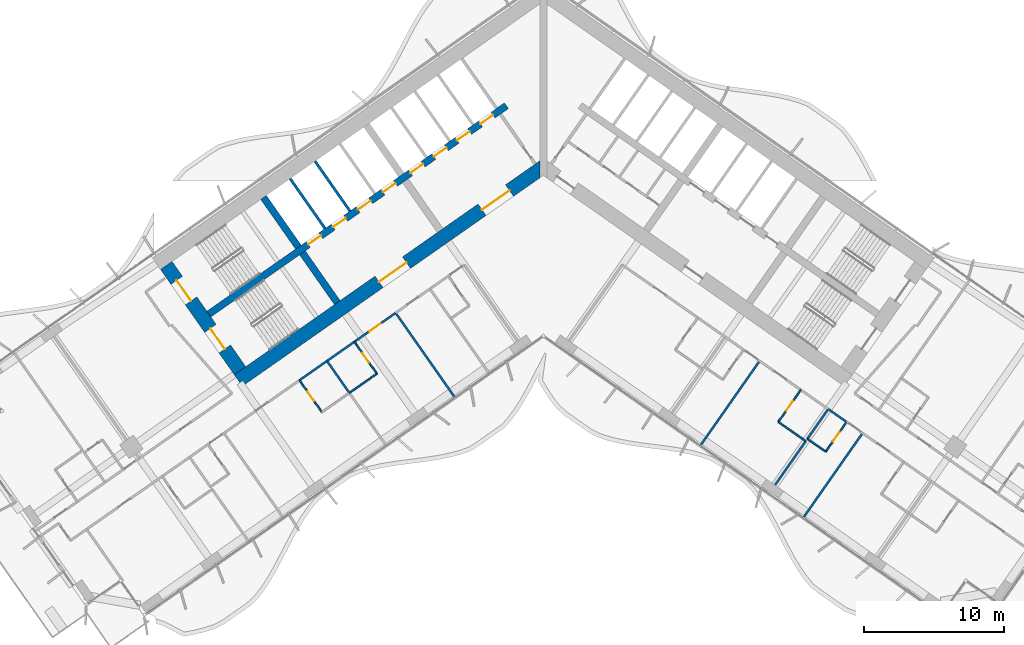
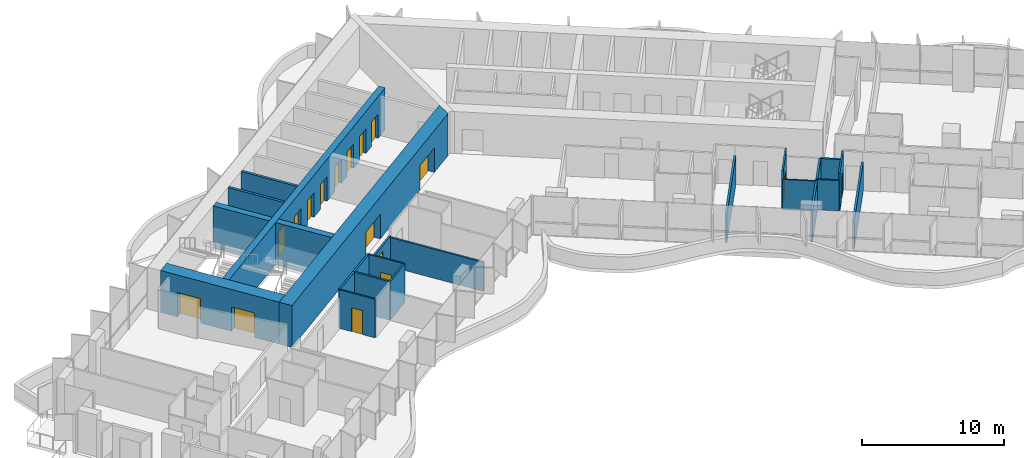
# One storey, part 14 of 25: 24 walls, 17 doors, 17 openings.
"""IFC4 building model written with IfcOpenShell, lengths in metres."""

from ifc_helpers import new_model, si_unit, direction, frame, frame_2d, origin, place, context, subcontext, project, spatial, polyline, rectangle, outline, extrude, material, layer, layer_set, type_object, element, fill, save


model = new_model("IFC4")

# Units and contexts
model_context = context("Model", 3, precision=1e-05, world=origin(), true_north=direction((0.0, 1.0)))
body_context = subcontext(model_context, "Body", "Model", "MODEL_VIEW")
ifc_project = project(units=[si_unit("LENGTHUNIT", "METRE"), si_unit("AREAUNIT", "SQUARE_METRE"), si_unit("VOLUMEUNIT", "CUBIC_METRE"), si_unit("PLANEANGLEUNIT", "RADIAN"), si_unit("MASSUNIT", "GRAM", prefix="KILO")], contexts=[model_context])

# Site, building, storey
site_placement = place(None, origin())
site = spatial("IfcSite", under=ifc_project, at=site_placement, CompositionType="ELEMENT")
building_placement = place(site_placement, origin())
building = spatial("IfcBuilding", under=site, at=building_placement, Name="Tel Ilan Convention Tower", CompositionType="ELEMENT")
storey_placement = place(building_placement, frame((0.0, 0.0, 97.699951171875)))
storey = spatial("IfcBuildingStorey", under=building, at=storey_placement, Name="L20", CompositionType="ELEMENT", Elevation=97.699951171875)

# Wall, openings, doors
ifc_material_1 = material(Name="Concrete C60/75", Category="concrete")
ifc_layer_1 = layer(ifc_material_1, 1.0)
ifc_layer_set_1 = layer_set([ifc_layer_1], Name="Core Shear Wall 1000 mm C60/75")
wall_type_1 = type_object("IfcWallType", Name="Core Shear Wall 1000 mm C60/75", PredefinedType="SHEAR", material=ifc_layer_set_1)
wall_1_placement = place(storey_placement, frame((0.036865234375, -0.584716796875, 0.0), z_axis=(0.0, 0.0, 1.0), x_axis=(-0.819157152511, -0.573569140985, 0.0)))
wall_1 = element("IfcWall", 1, at=wall_1_placement, inside=storey, type_object=wall_type_1, Name="L20 core wall W-front", PredefinedType="SHEAR", context=body_context, shape_type="SweptSolid", body=[
    extrude(outline(polyline([(26.69482421875, 0.500244140625), (0.7001953125, 0.499755859375), (0.0, -0.5), (26.69482421875, -0.499755859375), (26.69482421875, 0.500244140625)])), origin(), (0.0, 0.0, 1.0), 3.60009765625),
])
opening_1_placement = place(wall_1_placement, frame((2.994873046875, 0.0, 0.0)))
opening_1 = element("IfcOpeningElement", 2, at=opening_1_placement, cuts=wall_1, Name="Opening CD1805", PredefinedType="OPENING", context=body_context, shape_type="SweptSolid", body=[
    extrude(rectangle(XDim=2.39990234375, YDim=2.10009765625, at=frame_2d((1.199951171875, 1.050048828125))), frame((0.0, 0.510009765625, 0.0), z_axis=(0.0, -1.0, 0.0), x_axis=(1.0, 0.0, 0.0)), (0.0, 0.0, 1.0), 1.02001953125),
])
opening_2_placement = place(wall_1_placement, frame((11.994873046875, 0.0, 0.0)))
opening_2 = element("IfcOpeningElement", 3, at=opening_2_placement, cuts=wall_1, Name="Opening CD1806", PredefinedType="OPENING", context=body_context, shape_type="SweptSolid", body=[
    extrude(rectangle(XDim=2.39990234375, YDim=2.10009765625, at=frame_2d((1.199951171875, 1.050048828125))), frame((0.0, 0.510009765625, 0.0), z_axis=(0.0, -1.0, 0.0), x_axis=(1.0, 0.0, 0.0)), (0.0, 0.0, 1.0), 1.02001953125),
])
ifc_material_2 = material(Name="Glazed Aluminium Door Leaf", Category="aluminium")
door_type_1 = type_object("IfcDoorType", Name="Lobby Opening Door 2400 x 2100 FD60S", OperationType="NOTDEFINED", PredefinedType="DOOR", material=ifc_material_2)
door_1_placement = place(opening_1_placement, origin())
door_1 = element("IfcDoor", 4, at=door_1_placement, inside=storey, type_object=door_type_1, Name="Lift Lobby LR1-LR4 opening", OperationType="DOUBLE_DOOR_SINGLE_SWING", OverallHeight=2.10009765625, OverallWidth=2.39990234375, PredefinedType="DOOR", context=body_context, shape_type="SweptSolid", body=[
    extrude(rectangle(XDim=2.39990234375, YDim=2.10009765625, at=frame_2d((1.199951171875, 1.050048828125))), frame((0.0, 0.02490234375, 0.0), z_axis=(0.0, -1.0, 0.0), x_axis=(1.0, 0.0, 0.0)), (0.0, 0.0, 1.0), 0.050048828125),
])
fill(opening_1, door_1)
door_2_placement = place(opening_2_placement, origin())
door_2 = element("IfcDoor", 5, at=door_2_placement, inside=storey, type_object=door_type_1, Name="Lift Lobby LR5-LR8 opening", OperationType="DOUBLE_DOOR_SINGLE_SWING", OverallHeight=2.10009765625, OverallWidth=2.39990234375, PredefinedType="DOOR", context=body_context, shape_type="SweptSolid", body=[
    extrude(rectangle(XDim=2.39990234375, YDim=2.10009765625, at=frame_2d((1.199951171875, 1.050048828125))), frame((0.0, 0.02490234375, 0.0), z_axis=(0.0, -1.0, 0.0), x_axis=(1.0, 0.0, 0.0)), (0.0, 0.0, 1.0), 0.050048828125),
])
fill(opening_2, door_2)

wall_2_placement = place(storey_placement, frame((-21.70751953125, -15.19970703125, 0.0), z_axis=(0.0, 0.0, 1.0), x_axis=(-0.573576324356, 0.819152122709, 0.0)))
wall_2 = element("IfcWall", 6, at=wall_2_placement, inside=storey, type_object=wall_type_1, Name="L20 core wall W-end", PredefinedType="SHEAR", context=body_context, shape_type="SweptSolid", body=[
    extrude(outline(polyline([(0.0, 0.5), (0.0, -0.5), (9.199951171875, -0.5), (9.199951171875, 0.5), (0.0, 0.5)])), origin(), (0.0, 0.0, 1.0), 3.60009765625),
])
opening_3_placement = place(wall_2_placement, frame((6.10009765625, 0.0, 0.0)))
opening_3 = element("IfcOpeningElement", 7, at=opening_3_placement, cuts=wall_2, Name="Opening SD1801", PredefinedType="OPENING", context=body_context, shape_type="SweptSolid", body=[
    extrude(rectangle(XDim=1.800048828125, YDim=2.10009765625, at=frame_2d((0.89990234375, 1.050048828125))), frame((0.0, 0.510009765625, 0.0), z_axis=(0.0, -1.0, 0.0), x_axis=(1.0, 0.0, 0.0)), (0.0, 0.0, 1.0), 1.02001953125),
])
opening_4_placement = place(wall_2_placement, frame((1.89990234375, 0.0, 0.0)))
opening_4 = element("IfcOpeningElement", 8, at=opening_4_placement, cuts=wall_2, Name="Opening SD1802", PredefinedType="OPENING", context=body_context, shape_type="SweptSolid", body=[
    extrude(rectangle(XDim=1.800048828125, YDim=2.10009765625, at=frame_2d((0.89990234375, 1.050048828125))), frame((0.0, 0.510009765625, 0.0), z_axis=(0.0, -1.0, 0.0), x_axis=(1.0, 0.0, 0.0)), (0.0, 0.0, 1.0), 1.02001953125),
])
ifc_material_3 = material(Name="Galvanised Steel Door Leaf", Category="steel")
door_type_2 = type_object("IfcDoorType", Name="Stair Fire Door 1800 x 2100 FD60S", OperationType="NOTDEFINED", PredefinedType="DOOR", material=ifc_material_3)
door_3_placement = place(opening_3_placement, origin())
door_3 = element("IfcDoor", 9, at=door_3_placement, inside=storey, type_object=door_type_2, Name="Stair S1 door", OperationType="DOUBLE_DOOR_SINGLE_SWING", OverallHeight=2.10009765625, OverallWidth=1.800048828125, PredefinedType="DOOR", context=body_context, shape_type="SweptSolid", body=[
    extrude(rectangle(XDim=1.800048828125, YDim=2.10009765625, at=frame_2d((0.89990234375, 1.050048828125))), frame((0.0, 0.02490234375, 0.0), z_axis=(0.0, -1.0, 0.0), x_axis=(1.0, 0.0, 0.0)), (0.0, 0.0, 1.0), 0.050048828125),
])
fill(opening_3, door_3)
door_4_placement = place(opening_4_placement, origin())
door_4 = element("IfcDoor", 10, at=door_4_placement, inside=storey, type_object=door_type_2, Name="Stair S2 door", OperationType="DOUBLE_DOOR_SINGLE_SWING", OverallHeight=2.10009765625, OverallWidth=1.800048828125, PredefinedType="DOOR", context=body_context, shape_type="SweptSolid", body=[
    extrude(rectangle(XDim=1.800048828125, YDim=2.10009765625, at=frame_2d((0.89990234375, 1.050048828125))), frame((0.0, 0.02490234375, 0.0), z_axis=(0.0, -1.0, 0.0), x_axis=(1.0, 0.0, 0.0)), (0.0, 0.0, 1.0), 0.050048828125),
])
fill(opening_4, door_4)

# Walls
ifc_material_4 = material(Name="Concrete C60/75", Category="concrete")
ifc_layer_2 = layer(ifc_material_4, 0.5)
ifc_layer_set_2 = layer_set([ifc_layer_2], Name="Core Shear Wall 500 mm C60/75")
wall_type_2 = type_object("IfcWallType", Name="Core Shear Wall 500 mm C60/75", PredefinedType="SHEAR", material=ifc_layer_set_2)
wall_3_placement = place(storey_placement, frame((-14.74462890625, -10.324462890625, 0.0), z_axis=(0.0, 0.0, 1.0), x_axis=(-0.57356780395, 0.819158088694, 0.0)))
element("IfcWall", 11, at=wall_3_placement, inside=storey, type_object=wall_type_2, Name="L20 core wall W-cross2-1", PredefinedType="SHEAR", context=body_context, shape_type="SweptSolid", body=[
    extrude(outline(polyline([(4.35009765625, 0.250244140625), (0.0, 0.25), (0.0, -0.25), (4.35009765625, -0.25), (4.35009765625, 0.250244140625)])), origin(), (0.0, 0.0, 1.0), 3.60009765625),
])
wall_4_placement = place(storey_placement, frame((-17.526611328125, -6.3515625, 0.0), z_axis=(0.0, 0.0, 1.0), x_axis=(-0.573530143085, 0.819184457233, 0.0)))
element("IfcWall", 12, at=wall_4_placement, inside=storey, type_object=wall_type_2, Name="L20 core wall W-cross2-2", PredefinedType="SHEAR", context=body_context, shape_type="SweptSolid", body=[
    extrude(outline(polyline([(4.35009765625, -0.249755859375), (4.35009765625, 0.250244140625), (0.0, 0.25), (0.0, -0.25), (4.35009765625, -0.249755859375)])), origin(), (0.0, 0.0, 1.0), 3.60009765625),
])

# Wall, openings, doors
wall_5_placement = place(storey_placement, frame((-2.638427734375, 3.76806640625, 0.0), z_axis=(0.0, 0.0, 1.0), x_axis=(-0.819148977158, -0.573580816643, 0.0)))
wall_5 = element("IfcWall", 13, at=wall_5_placement, inside=storey, type_object=wall_type_2, Name="L20 core wall W-spine", PredefinedType="SHEAR", context=body_context, shape_type="SweptSolid", body=[
    extrude(outline(polyline([(26.0, 0.249755859375), (0.0, 0.25), (0.0, -0.25), (26.0, -0.250244140625), (26.0, 0.249755859375)])), origin(), (0.0, 0.0, 1.0), 3.60009765625),
])
opening_5_placement = place(wall_5_placement, frame((1.168701171875, 0.0, 0.0)))
opening_5 = element("IfcOpeningElement", 14, at=opening_5_placement, cuts=wall_5, Name="Opening LD1804", PredefinedType="OPENING", context=body_context, shape_type="SweptSolid", body=[
    extrude(rectangle(XDim=1.10009765625, YDim=2.10009765625, at=frame_2d((0.550048828125, 1.050048828125))), frame((0.0, 0.260009765625, 0.0), z_axis=(0.0, -1.0, 0.0), x_axis=(1.0, 0.0, 0.0)), (0.0, 0.0, 1.0), 0.52001953125),
])
opening_6_placement = place(wall_5_placement, frame((3.206298828125, 0.0, 0.0)))
opening_6 = element("IfcOpeningElement", 15, at=opening_6_placement, cuts=wall_5, Name="Opening LD1805", PredefinedType="OPENING", context=body_context, shape_type="SweptSolid", body=[
    extrude(rectangle(XDim=1.10009765625, YDim=2.10009765625, at=frame_2d((0.550048828125, 1.050048828125))), frame((0.0, 0.260009765625, 0.0), z_axis=(0.0, -1.0, 0.0), x_axis=(1.0, 0.0, 0.0)), (0.0, 0.0, 1.0), 0.52001953125),
])
opening_7_placement = place(wall_5_placement, frame((5.24365234375, 0.0, 0.0)))
opening_7 = element("IfcOpeningElement", 16, at=opening_7_placement, cuts=wall_5, Name="Opening LD1806", PredefinedType="OPENING", context=body_context, shape_type="SweptSolid", body=[
    extrude(rectangle(XDim=1.10009765625, YDim=2.10009765625, at=frame_2d((0.550048828125, 1.050048828125))), frame((0.0, 0.260009765625, 0.0), z_axis=(0.0, -1.0, 0.0), x_axis=(1.0, 0.0, 0.0)), (0.0, 0.0, 1.0), 0.52001953125),
])
opening_8_placement = place(wall_5_placement, frame((7.28125, 0.0, 0.0)))
opening_8 = element("IfcOpeningElement", 17, at=opening_8_placement, cuts=wall_5, Name="Opening LD1807", PredefinedType="OPENING", context=body_context, shape_type="SweptSolid", body=[
    extrude(rectangle(XDim=1.10009765625, YDim=2.10009765625, at=frame_2d((0.550048828125, 1.050048828125))), frame((0.0, 0.260009765625, 0.0), z_axis=(0.0, -1.0, 0.0), x_axis=(1.0, 0.0, 0.0)), (0.0, 0.0, 1.0), 0.52001953125),
])
opening_9_placement = place(wall_5_placement, frame((9.6875, 0.0, 0.0)))
opening_9 = element("IfcOpeningElement", 18, at=opening_9_placement, cuts=wall_5, Name="Opening LD1808", PredefinedType="OPENING", context=body_context, shape_type="SweptSolid", body=[
    extrude(rectangle(XDim=1.10009765625, YDim=2.10009765625, at=frame_2d((0.550048828125, 1.050048828125))), frame((0.0, 0.260009765625, 0.0), z_axis=(0.0, -1.0, 0.0), x_axis=(1.0, 0.0, 0.0)), (0.0, 0.0, 1.0), 0.52001953125),
])
opening_10_placement = place(wall_5_placement, frame((11.862548828125, 0.0, 0.0)))
opening_10 = element("IfcOpeningElement", 19, at=opening_10_placement, cuts=wall_5, Name="Opening LD1809", PredefinedType="OPENING", context=body_context, shape_type="SweptSolid", body=[
    extrude(rectangle(XDim=1.10009765625, YDim=2.10009765625, at=frame_2d((0.550048828125, 1.050048828125))), frame((0.0, 0.260009765625, 0.0), z_axis=(0.0, -1.0, 0.0), x_axis=(1.0, 0.0, 0.0)), (0.0, 0.0, 1.0), 0.52001953125),
])
opening_11_placement = place(wall_5_placement, frame((14.03759765625, 0.0, 0.0)))
opening_11 = element("IfcOpeningElement", 20, at=opening_11_placement, cuts=wall_5, Name="Opening LD1810", PredefinedType="OPENING", context=body_context, shape_type="SweptSolid", body=[
    extrude(rectangle(XDim=1.10009765625, YDim=2.10009765625, at=frame_2d((0.550048828125, 1.050048828125))), frame((0.0, 0.260009765625, 0.0), z_axis=(0.0, -1.0, 0.0), x_axis=(1.0, 0.0, 0.0)), (0.0, 0.0, 1.0), 0.52001953125),
])
opening_12_placement = place(wall_5_placement, frame((16.21240234375, 0.0, 0.0)))
opening_12 = element("IfcOpeningElement", 21, at=opening_12_placement, cuts=wall_5, Name="Opening LD1811", PredefinedType="OPENING", context=body_context, shape_type="SweptSolid", body=[
    extrude(rectangle(XDim=1.10009765625, YDim=2.10009765625, at=frame_2d((0.550048828125, 1.050048828125))), frame((0.0, 0.260009765625, 0.0), z_axis=(0.0, -1.0, 0.0), x_axis=(1.0, 0.0, 0.0)), (0.0, 0.0, 1.0), 0.52001953125),
])
ifc_material_5 = material(Name="Stainless Steel Sliding Door Leaf", Category="steel")
door_type_3 = type_object("IfcDoorType", Name="Lift Landing Door 1100 x 2100 FD120", OperationType="NOTDEFINED", PredefinedType="DOOR", material=ifc_material_5)
door_5_placement = place(opening_5_placement, origin())
door_5 = element("IfcDoor", 22, at=door_5_placement, inside=storey, type_object=door_type_3, Name="Lift LR1 landing door", OperationType="SLIDING_TO_LEFT", OverallHeight=2.10009765625, OverallWidth=1.10009765625, PredefinedType="DOOR", context=body_context, shape_type="SweptSolid", body=[
    extrude(rectangle(XDim=1.10009765625, YDim=2.10009765625, at=frame_2d((0.550048828125, 1.050048828125))), frame((0.0, 0.02490234375, 0.0), z_axis=(0.0, -1.0, 0.0), x_axis=(1.0, 0.0, 0.0)), (0.0, 0.0, 1.0), 0.050048828125),
])
fill(opening_5, door_5)
door_6_placement = place(opening_6_placement, origin())
door_6 = element("IfcDoor", 23, at=door_6_placement, inside=storey, type_object=door_type_3, Name="Lift LR2 landing door", OperationType="SLIDING_TO_RIGHT", OverallHeight=2.10009765625, OverallWidth=1.10009765625, PredefinedType="DOOR", context=body_context, shape_type="SweptSolid", body=[
    extrude(rectangle(XDim=1.10009765625, YDim=2.10009765625, at=frame_2d((0.550048828125, 1.050048828125))), frame((0.0, 0.02490234375, 0.0), z_axis=(0.0, -1.0, 0.0), x_axis=(1.0, 0.0, 0.0)), (0.0, 0.0, 1.0), 0.050048828125),
])
fill(opening_6, door_6)
door_7_placement = place(opening_7_placement, origin())
door_7 = element("IfcDoor", 24, at=door_7_placement, inside=storey, type_object=door_type_3, Name="Lift LR3 landing door", OperationType="SLIDING_TO_LEFT", OverallHeight=2.10009765625, OverallWidth=1.10009765625, PredefinedType="DOOR", context=body_context, shape_type="SweptSolid", body=[
    extrude(rectangle(XDim=1.10009765625, YDim=2.10009765625, at=frame_2d((0.550048828125, 1.050048828125))), frame((0.0, 0.02490234375, 0.0), z_axis=(0.0, -1.0, 0.0), x_axis=(1.0, 0.0, 0.0)), (0.0, 0.0, 1.0), 0.050048828125),
])
fill(opening_7, door_7)
door_8_placement = place(opening_8_placement, origin())
door_8 = element("IfcDoor", 25, at=door_8_placement, inside=storey, type_object=door_type_3, Name="Lift LR4 landing door", OperationType="SLIDING_TO_RIGHT", OverallHeight=2.10009765625, OverallWidth=1.10009765625, PredefinedType="DOOR", context=body_context, shape_type="SweptSolid", body=[
    extrude(rectangle(XDim=1.10009765625, YDim=2.10009765625, at=frame_2d((0.550048828125, 1.050048828125))), frame((0.0, 0.02490234375, 0.0), z_axis=(0.0, -1.0, 0.0), x_axis=(1.0, 0.0, 0.0)), (0.0, 0.0, 1.0), 0.050048828125),
])
fill(opening_8, door_8)
door_9_placement = place(opening_9_placement, origin())
door_9 = element("IfcDoor", 26, at=door_9_placement, inside=storey, type_object=door_type_3, Name="Lift LR5 landing door", OperationType="SLIDING_TO_LEFT", OverallHeight=2.10009765625, OverallWidth=1.10009765625, PredefinedType="DOOR", context=body_context, shape_type="SweptSolid", body=[
    extrude(rectangle(XDim=1.10009765625, YDim=2.10009765625, at=frame_2d((0.550048828125, 1.050048828125))), frame((0.0, 0.02490234375, 0.0), z_axis=(0.0, -1.0, 0.0), x_axis=(1.0, 0.0, 0.0)), (0.0, 0.0, 1.0), 0.050048828125),
])
fill(opening_9, door_9)
door_10_placement = place(opening_10_placement, origin())
door_10 = element("IfcDoor", 27, at=door_10_placement, inside=storey, type_object=door_type_3, Name="Lift LR6 landing door", OperationType="SLIDING_TO_RIGHT", OverallHeight=2.10009765625, OverallWidth=1.10009765625, PredefinedType="DOOR", context=body_context, shape_type="SweptSolid", body=[
    extrude(rectangle(XDim=1.10009765625, YDim=2.10009765625, at=frame_2d((0.550048828125, 1.050048828125))), frame((0.0, 0.02490234375, 0.0), z_axis=(0.0, -1.0, 0.0), x_axis=(1.0, 0.0, 0.0)), (0.0, 0.0, 1.0), 0.050048828125),
])
fill(opening_10, door_10)
door_11_placement = place(opening_11_placement, origin())
door_11 = element("IfcDoor", 28, at=door_11_placement, inside=storey, type_object=door_type_3, Name="Lift LR7 landing door", OperationType="SLIDING_TO_LEFT", OverallHeight=2.10009765625, OverallWidth=1.10009765625, PredefinedType="DOOR", context=body_context, shape_type="SweptSolid", body=[
    extrude(rectangle(XDim=1.10009765625, YDim=2.10009765625, at=frame_2d((0.550048828125, 1.050048828125))), frame((0.0, 0.02490234375, 0.0), z_axis=(0.0, -1.0, 0.0), x_axis=(1.0, 0.0, 0.0)), (0.0, 0.0, 1.0), 0.050048828125),
])
fill(opening_11, door_11)
door_12_placement = place(opening_12_placement, origin())
door_12 = element("IfcDoor", 29, at=door_12_placement, inside=storey, type_object=door_type_3, Name="Lift LR8 landing door", OperationType="SLIDING_TO_RIGHT", OverallHeight=2.10009765625, OverallWidth=1.10009765625, PredefinedType="DOOR", context=body_context, shape_type="SweptSolid", body=[
    extrude(rectangle(XDim=1.10009765625, YDim=2.10009765625, at=frame_2d((0.550048828125, 1.050048828125))), frame((0.0, 0.02490234375, 0.0), z_axis=(0.0, -1.0, 0.0), x_axis=(1.0, 0.0, 0.0)), (0.0, 0.0, 1.0), 0.050048828125),
])
fill(opening_12, door_12)

# Wall
ifc_material_6 = material(Name="Plasterboard on Steel Studs", Category="steel")
ifc_layer_3 = layer(ifc_material_6, 0.14990234375)
ifc_layer_set_3 = layer_set([ifc_layer_3], Name="Fire-rated Partition 150 EI 60")
wall_type_3 = type_object("IfcWallType", Name="Fire-rated Partition 150 EI 60", PredefinedType="PARTITIONING", material=ifc_layer_set_3)
wall_6_placement = place(storey_placement, frame((21.708740234375, -18.86279296875, 0.0), z_axis=(0.0, 0.0, 1.0), x_axis=(-0.819189013667, 0.573523634986, 0.0)))
element("IfcWall", 30, at=wall_6_placement, inside=storey, type_object=wall_type_3, Name="Partition 014", PredefinedType="PARTITIONING", context=body_context, shape_type="SweptSolid", body=[
    extrude(rectangle(XDim=1.60400390625, YDim=0.14990234375, at=frame_2d((0.802001953125, 0.0))), origin(), (0.0, 0.0, 1.0), 2.60009765625),
])

# Wall, opening, door
wall_7_placement = place(storey_placement, frame((-10.56494140625, -11.06005859375, 0.0), z_axis=(0.0, 0.0, 1.0), x_axis=(-0.819145961204, -0.573585123798, 0.0)))
wall_7 = element("IfcWall", 31, at=wall_7_placement, inside=storey, type_object=wall_type_3, Name="Partition 027", PredefinedType="PARTITIONING", context=body_context, shape_type="SweptSolid", body=[
    extrude(rectangle(XDim=3.60302734375, YDim=0.14990234375, at=frame_2d((1.801513671875, 0.0))), origin(), (0.0, 0.0, 1.0), 2.60009765625),
])
opening_13_placement = place(wall_7_placement, frame((1.302001953125, 0.0, 0.0)))
opening_13 = element("IfcOpeningElement", 32, at=opening_13_placement, cuts=wall_7, Name="Opening L20-005", PredefinedType="OPENING", context=body_context, shape_type="SweptSolid", body=[
    extrude(rectangle(XDim=1.0, YDim=2.10009765625, at=frame_2d((0.5, 1.050048828125))), frame((0.0, 0.0849609375, 0.0), z_axis=(0.0, -1.0, 0.0), x_axis=(1.0, 0.0, 0.0)), (0.0, 0.0, 1.0), 0.169921875),
])
ifc_material_7 = material(Name="Timber Door Leaf in Steel Frame", Category="steel")
door_type_4 = type_object("IfcDoorType", Name="Hotel Room Entrance Fire Door 1000x2100", OperationType="NOTDEFINED", PredefinedType="DOOR", material=ifc_material_7)
door_13_placement = place(opening_13_placement, origin())
door_13 = element("IfcDoor", 33, at=door_13_placement, inside=storey, type_object=door_type_4, Name="Door L20-005", OperationType="SINGLE_SWING_LEFT", OverallHeight=2.10009765625, OverallWidth=1.0, PredefinedType="DOOR", context=body_context, shape_type="SweptSolid", body=[
    extrude(rectangle(XDim=1.0, YDim=2.10009765625, at=frame_2d((0.5, 1.050048828125))), frame((0.0, 0.02490234375, 0.0), z_axis=(0.0, -1.0, 0.0), x_axis=(1.0, 0.0, 0.0)), (0.0, 0.0, 1.0), 0.050048828125),
])
fill(opening_13, door_13)

# Walls
wall_8_placement = place(storey_placement, frame((-13.513916015625, -13.124755859375, 0.0), z_axis=(0.0, 0.0, 1.0), x_axis=(-0.819146032251, -0.573585022335, 0.0)))
element("IfcWall", 34, at=wall_8_placement, inside=storey, type_object=wall_type_3, Name="Partition 028", PredefinedType="PARTITIONING", context=body_context, shape_type="SweptSolid", body=[
    extrude(rectangle(XDim=2.404052734375, YDim=0.14990234375, at=frame_2d((1.2021484375, 0.0))), origin(), (0.0, 0.0, 1.0), 3.320068359375),
])
wall_9_placement = place(storey_placement, frame((-15.479736328125, -14.50146484375, 0.0), z_axis=(0.0, 0.0, 1.0), x_axis=(-0.819179439794, -0.573537309527, 0.0)))
element("IfcWall", 35, at=wall_9_placement, inside=storey, type_object=wall_type_3, Name="Partition 030", PredefinedType="PARTITIONING", context=body_context, shape_type="SweptSolid", body=[
    extrude(rectangle(XDim=2.404296875, YDim=0.14990234375, at=frame_2d((1.2021484375, 0.0))), origin(), (0.0, 0.0, 1.0), 3.320068359375),
])
wall_10_placement = place(storey_placement, frame((15.4814453125, -14.502685546875, 0.0), z_axis=(0.0, 0.0, 1.0), x_axis=(-0.573572324301, -0.819154923562, 0.0)))
element("IfcWall", 36, at=wall_10_placement, inside=storey, type_object=wall_type_3, Name="Partition 057", PredefinedType="PARTITIONING", context=body_context, shape_type="SweptSolid", body=[
    extrude(rectangle(XDim=7.2998046875, YDim=0.14990234375, at=frame_2d((3.64990234375, 0.0))), origin(), (0.0, 0.0, 1.0), 2.5),
])
wall_11_placement = place(storey_placement, frame((18.789794921875, -20.238525390625, 0.0), z_axis=(0.0, 0.0, 1.0), x_axis=(-0.573594994199, -0.819139049631, 0.0)))
element("IfcWall", 37, at=wall_11_placement, inside=storey, type_object=wall_type_3, Name="Partition 060", PredefinedType="PARTITIONING", context=body_context, shape_type="SweptSolid", body=[
    extrude(rectangle(XDim=3.8291015625, YDim=0.14990234375, at=frame_2d((1.91455078125, 0.0))), origin(), (0.0, 0.0, 1.0), 2.60009765625),
])
wall_12_placement = place(storey_placement, frame((20.396484375, -17.944091796875, 0.0), z_axis=(0.0, 0.0, 1.0), x_axis=(-0.573651240222, -0.819099660964, 0.0)))
element("IfcWall", 38, at=wall_12_placement, inside=storey, type_object=wall_type_3, Name="Partition 061", PredefinedType="PARTITIONING", context=body_context, shape_type="SweptSolid", body=[
    extrude(rectangle(XDim=2.60205078125, YDim=0.14990234375, at=frame_2d((1.301025390625, 0.0))), origin(), (0.0, 0.0, 1.0), 2.60009765625),
])
wall_13_placement = place(storey_placement, frame((22.853759765625, -19.664794921875, 0.0), z_axis=(0.0, 0.0, 1.0), x_axis=(-0.573572324301, -0.819154923562, 0.0)))
element("IfcWall", 39, at=wall_13_placement, inside=storey, type_object=wall_type_3, Name="Partition 064", PredefinedType="PARTITIONING", context=body_context, shape_type="SweptSolid", body=[
    extrude(rectangle(XDim=7.2998046875, YDim=0.14990234375, at=frame_2d((3.64990234375, 0.0))), origin(), (0.0, 0.0, 1.0), 2.5),
])
wall_14_placement = place(storey_placement, frame((-6.37939453125, -17.041015625, 0.0), z_axis=(0.0, 0.0, 1.0), x_axis=(-0.573579051994, 0.81915021279, 0.0)))
element("IfcWall", 40, at=wall_14_placement, inside=storey, type_object=wall_type_3, Name="Partition 087", PredefinedType="PARTITIONING", context=body_context, shape_type="SweptSolid", body=[
    extrude(rectangle(XDim=7.30029296875, YDim=0.14990234375, at=frame_2d((3.650146484375, 0.0))), origin(), (0.0, 0.0, 1.0), 2.5),
])
wall_15_placement = place(storey_placement, frame((-13.87548828125, -16.796142578125, 0.0), z_axis=(0.0, 0.0, 1.0), x_axis=(-0.573591086599, 0.819141785879, 0.0)))
element("IfcWall", 41, at=wall_15_placement, inside=storey, type_object=wall_type_3, Name="Partition 091", PredefinedType="PARTITIONING", context=body_context, shape_type="SweptSolid", body=[
    extrude(rectangle(XDim=2.7998046875, YDim=0.14990234375, at=frame_2d((1.39990234375, 0.0))), origin(), (0.0, 0.0, 1.0), 3.320068359375),
])
ifc_material_8 = material(Name="Concrete C30/37", Category="concrete")
ifc_layer_4 = layer(ifc_material_8, 0.199951171875)
ifc_layer_set_4 = layer_set([ifc_layer_4], Name="Lift Shaft Wall 200 mm C30/37")
wall_type_4 = type_object("IfcWallType", Name="Lift Shaft Wall 200 mm C30/37", PredefinedType="SOLIDWALL", material=ifc_layer_set_4)
wall_16_placement = place(storey_placement, frame((-13.84033203125, -3.7705078125, 0.0), z_axis=(0.0, 0.0, 1.0), x_axis=(-0.57356780395, 0.819158088694, 0.0)))
element("IfcWall", 42, at=wall_16_placement, inside=storey, type_object=wall_type_4, Name="L20 core wall bank-W2-p1", PredefinedType="SOLIDWALL", context=body_context, shape_type="SweptSolid", body=[
    extrude(rectangle(XDim=4.35009765625, YDim=0.199951171875, at=frame_2d((2.175048828125, 0.0))), origin(), (0.0, 0.0, 1.0), 3.60009765625),
])
wall_17_placement = place(storey_placement, frame((-15.6220703125, -5.017822265625, 0.0), z_axis=(0.0, 0.0, 1.0), x_axis=(-0.573594173421, 0.819139624372, 0.0)))
element("IfcWall", 43, at=wall_17_placement, inside=storey, type_object=wall_type_4, Name="L20 core wall bank-W2-p2", PredefinedType="SOLIDWALL", context=body_context, shape_type="SweptSolid", body=[
    extrude(rectangle(XDim=4.349853515625, YDim=0.199951171875, at=frame_2d((2.1748046875, 0.0))), origin(), (0.0, 0.0, 1.0), 3.60009765625),
])

# Wall, opening, door
ifc_material_9 = material(Name="Plasterboard on Steel Studs", Category="steel")
ifc_layer_5 = layer(ifc_material_9, 0.1201171875)
ifc_layer_set_5 = layer_set([ifc_layer_5], Name="Moisture-resistant Partition 120")
wall_type_5 = type_object("IfcWallType", Name="Moisture-resistant Partition 120", PredefinedType="PARTITIONING", material=ifc_layer_set_5)
wall_18_placement = place(storey_placement, frame((18.4296875, -16.56689453125, 0.0), z_axis=(0.0, 0.0, 1.0), x_axis=(-0.573608623498, -0.819129505664, 0.0)))
wall_18 = element("IfcWall", 44, at=wall_18_placement, inside=storey, type_object=wall_type_5, Name="Partition 058", PredefinedType="PARTITIONING", context=body_context, shape_type="SweptSolid", body=[
    extrude(rectangle(XDim=2.800048828125, YDim=0.1201171875, at=frame_2d((1.39990234375, 0.0))), origin(), (0.0, 0.0, 1.0), 3.320068359375),
])
opening_14_placement = place(wall_18_placement, frame((0.97509765625, 0.0, 0.0)))
opening_14 = element("IfcOpeningElement", 45, at=opening_14_placement, cuts=wall_18, Name="Opening L20-022", PredefinedType="OPENING", context=body_context, shape_type="SweptSolid", body=[
    extrude(rectangle(XDim=0.85009765625, YDim=2.050048828125, at=frame_2d((0.425048828125, 1.02490234375))), frame((0.0, 0.070068359375, 0.0), z_axis=(0.0, -1.0, 0.0), x_axis=(1.0, 0.0, 0.0)), (0.0, 0.0, 1.0), 0.14013671875),
])
ifc_material_10 = material(Name="Timber Door Leaf in Steel Frame", Category="steel")
door_type_5 = type_object("IfcDoorType", Name="Bathroom Timber Door 850x2050", OperationType="NOTDEFINED", PredefinedType="DOOR", material=ifc_material_10)
door_14_placement = place(opening_14_placement, origin())
door_14 = element("IfcDoor", 46, at=door_14_placement, inside=storey, type_object=door_type_5, Name="Door L20-022", OperationType="SINGLE_SWING_RIGHT", OverallHeight=2.050048828125, OverallWidth=0.85009765625, PredefinedType="DOOR", context=body_context, shape_type="SweptSolid", body=[
    extrude(rectangle(XDim=0.85009765625, YDim=2.050048828125, at=frame_2d((0.425048828125, 1.02490234375))), frame((0.0, 0.02490234375, 0.0), z_axis=(0.0, -1.0, 0.0), x_axis=(1.0, 0.0, 0.0)), (0.0, 0.0, 1.0), 0.050048828125),
])
fill(opening_14, door_14)

# Walls
wall_19_placement = place(storey_placement, frame((16.82373046875, -18.86181640625, 0.0), z_axis=(0.0, 0.0, 1.0), x_axis=(0.819141114317, -0.573592045652, 0.0)))
element("IfcWall", 47, at=wall_19_placement, inside=storey, type_object=wall_type_5, Name="Partition 059", PredefinedType="PARTITIONING", context=body_context, shape_type="SweptSolid", body=[
    extrude(rectangle(XDim=2.400146484375, YDim=0.1201171875, at=frame_2d((1.2001953125, 0.0))), origin(), (0.0, 0.0, 1.0), 2.60009765625),
])
wall_20_placement = place(storey_placement, frame((18.904541015625, -20.07470703125, 0.0), z_axis=(0.0, 0.0, 1.0), x_axis=(0.819131543282, -0.57360571371, 0.0)))
element("IfcWall", 48, at=wall_20_placement, inside=storey, type_object=wall_type_5, Name="Partition 062", PredefinedType="PARTITIONING", context=body_context, shape_type="SweptSolid", body=[
    extrude(rectangle(XDim=1.599853515625, YDim=0.1201171875, at=frame_2d((0.7998046875, 0.0))), origin(), (0.0, 0.0, 1.0), 2.60009765625),
])

# Wall, opening, door
wall_21_placement = place(storey_placement, frame((20.216552734375, -20.9921875, 0.0), z_axis=(0.0, 0.0, 1.0), x_axis=(0.573537965655, 0.819178980414, 0.0)))
wall_21 = element("IfcWall", 49, at=wall_21_placement, inside=storey, type_object=wall_type_5, Name="Partition 063", PredefinedType="PARTITIONING", context=body_context, shape_type="SweptSolid", body=[
    extrude(rectangle(XDim=2.60009765625, YDim=0.1201171875, at=frame_2d((1.300048828125, 0.0))), origin(), (0.0, 0.0, 1.0), 3.320068359375),
])
opening_15_placement = place(wall_21_placement, frame((0.875, 0.0, 0.0)))
opening_15 = element("IfcOpeningElement", 50, at=opening_15_placement, cuts=wall_21, Name="Opening L20-024", PredefinedType="OPENING", context=body_context, shape_type="SweptSolid", body=[
    extrude(rectangle(XDim=0.85009765625, YDim=2.050048828125, at=frame_2d((0.425048828125, 1.02490234375))), frame((0.0, 0.070068359375, 0.0), z_axis=(0.0, -1.0, 0.0), x_axis=(1.0, 0.0, 0.0)), (0.0, 0.0, 1.0), 0.14013671875),
])
door_15_placement = place(opening_15_placement, origin())
door_15 = element("IfcDoor", 51, at=door_15_placement, inside=storey, type_object=door_type_5, Name="Door L20-024", OperationType="SINGLE_SWING_LEFT", OverallHeight=2.050048828125, OverallWidth=0.85009765625, PredefinedType="DOOR", context=body_context, shape_type="SweptSolid", body=[
    extrude(rectangle(XDim=0.85009765625, YDim=2.050048828125, at=frame_2d((0.425048828125, 1.02490234375))), frame((0.0, 0.02490234375, 0.0), z_axis=(0.0, -1.0, 0.0), x_axis=(1.0, 0.0, 0.0)), (0.0, 0.0, 1.0), 0.050048828125),
])
fill(opening_15, door_15)

# Wall
wall_22_placement = place(storey_placement, frame((-13.875, -16.797119140625, 0.0), z_axis=(0.0, 0.0, 1.0), x_axis=(0.819141114317, 0.573592045652, 0.0)))
element("IfcWall", 52, at=wall_22_placement, inside=storey, type_object=wall_type_5, Name="Partition 088", PredefinedType="PARTITIONING", context=body_context, shape_type="SweptSolid", body=[
    extrude(rectangle(XDim=2.400146484375, YDim=0.1201171875, at=frame_2d((1.2001953125, 0.0))), origin(), (0.0, 0.0, 1.0), 3.320068359375),
])

# Wall, opening, door
wall_23_placement = place(storey_placement, frame((-11.90869140625, -15.4189453125, 0.0), z_axis=(0.0, 0.0, 1.0), x_axis=(-0.573591086599, 0.819141785879, 0.0)))
wall_23 = element("IfcWall", 53, at=wall_23_placement, inside=storey, type_object=wall_type_5, Name="Partition 089", PredefinedType="PARTITIONING", context=body_context, shape_type="SweptSolid", body=[
    extrude(rectangle(XDim=2.7998046875, YDim=0.1201171875, at=frame_2d((1.39990234375, 0.0))), origin(), (0.0, 0.0, 1.0), 3.320068359375),
])
opening_16_placement = place(wall_23_placement, frame((0.97509765625, 0.0, 0.0)))
opening_16 = element("IfcOpeningElement", 54, at=opening_16_placement, cuts=wall_23, Name="Opening L20-004", PredefinedType="OPENING", context=body_context, shape_type="SweptSolid", body=[
    extrude(rectangle(XDim=0.85009765625, YDim=2.050048828125, at=frame_2d((0.425048828125, 1.02490234375))), frame((0.0, 0.070068359375, 0.0), z_axis=(0.0, -1.0, 0.0), x_axis=(1.0, 0.0, 0.0)), (0.0, 0.0, 1.0), 0.14013671875),
])
door_16_placement = place(opening_16_placement, origin())
door_16 = element("IfcDoor", 55, at=door_16_placement, inside=storey, type_object=door_type_5, Name="Door L20-004", OperationType="SINGLE_SWING_RIGHT", OverallHeight=2.050048828125, OverallWidth=0.85009765625, PredefinedType="DOOR", context=body_context, shape_type="SweptSolid", body=[
    extrude(rectangle(XDim=0.85009765625, YDim=2.050048828125, at=frame_2d((0.425048828125, 1.02490234375))), frame((0.0, 0.02490234375, 0.0), z_axis=(0.0, -1.0, 0.0), x_axis=(1.0, 0.0, 0.0)), (0.0, 0.0, 1.0), 0.050048828125),
])
fill(opening_16, door_16)

wall_24_placement = place(storey_placement, frame((-17.4482421875, -15.879638671875, 0.0), z_axis=(0.0, 0.0, 1.0), x_axis=(0.573550118428, -0.819170471667, 0.0)))
wall_24 = element("IfcWall", 56, at=wall_24_placement, inside=storey, type_object=wall_type_5, Name="Partition 092", PredefinedType="PARTITIONING", context=body_context, shape_type="SweptSolid", body=[
    extrude(rectangle(XDim=2.800048828125, YDim=0.1201171875, at=frame_2d((1.39990234375, 0.0))), origin(), (0.0, 0.0, 1.0), 3.320068359375),
])
opening_17_placement = place(wall_24_placement, frame((0.97509765625, 0.0, 0.0)))
opening_17 = element("IfcOpeningElement", 57, at=opening_17_placement, cuts=wall_24, Name="Opening L20-006", PredefinedType="OPENING", context=body_context, shape_type="SweptSolid", body=[
    extrude(rectangle(XDim=0.85009765625, YDim=2.050048828125, at=frame_2d((0.425048828125, 1.02490234375))), frame((0.0, 0.070068359375, 0.0), z_axis=(0.0, -1.0, 0.0), x_axis=(1.0, 0.0, 0.0)), (0.0, 0.0, 1.0), 0.14013671875),
])
door_17_placement = place(opening_17_placement, origin())
door_17 = element("IfcDoor", 58, at=door_17_placement, inside=storey, type_object=door_type_5, Name="Door L20-006", OperationType="SINGLE_SWING_RIGHT", OverallHeight=2.050048828125, OverallWidth=0.85009765625, PredefinedType="DOOR", context=body_context, shape_type="SweptSolid", body=[
    extrude(rectangle(XDim=0.85009765625, YDim=2.050048828125, at=frame_2d((0.425048828125, 1.02490234375))), frame((0.0, 0.02490234375, 0.0), z_axis=(0.0, -1.0, 0.0), x_axis=(1.0, 0.0, 0.0)), (0.0, 0.0, 1.0), 0.050048828125),
])
fill(opening_17, door_17)

save(model, "model.ifc")
